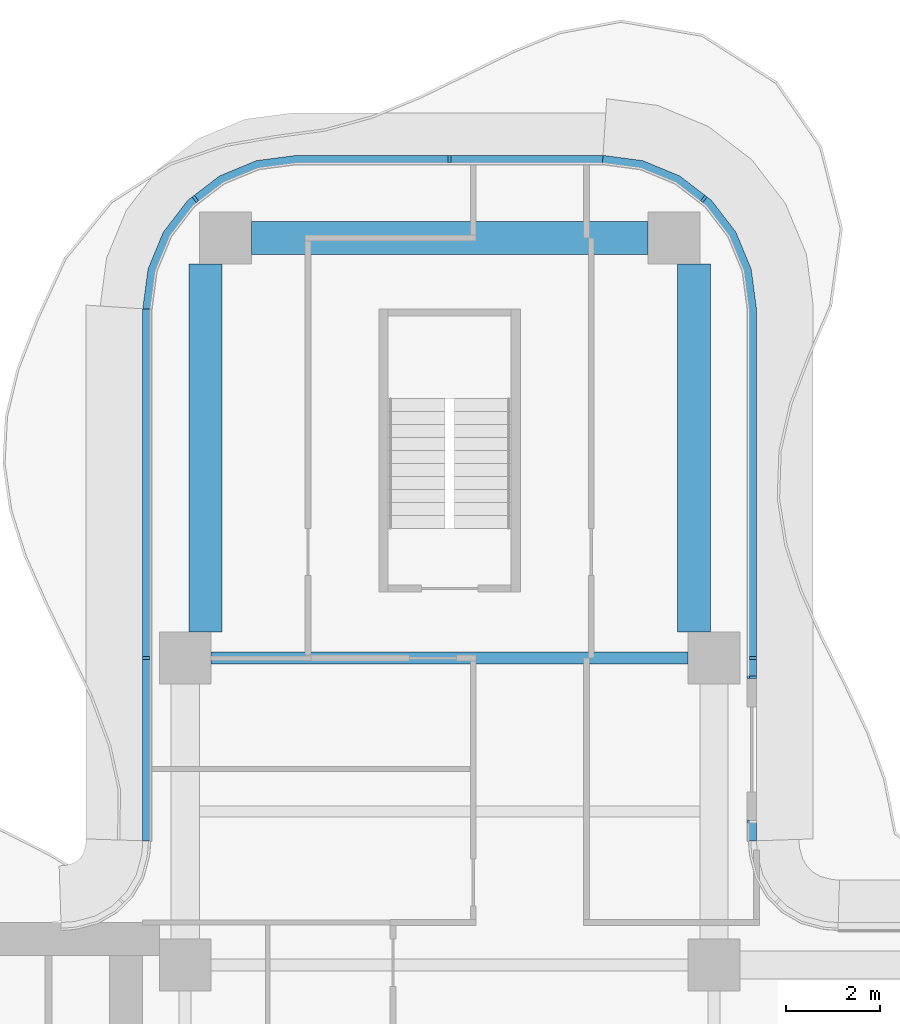
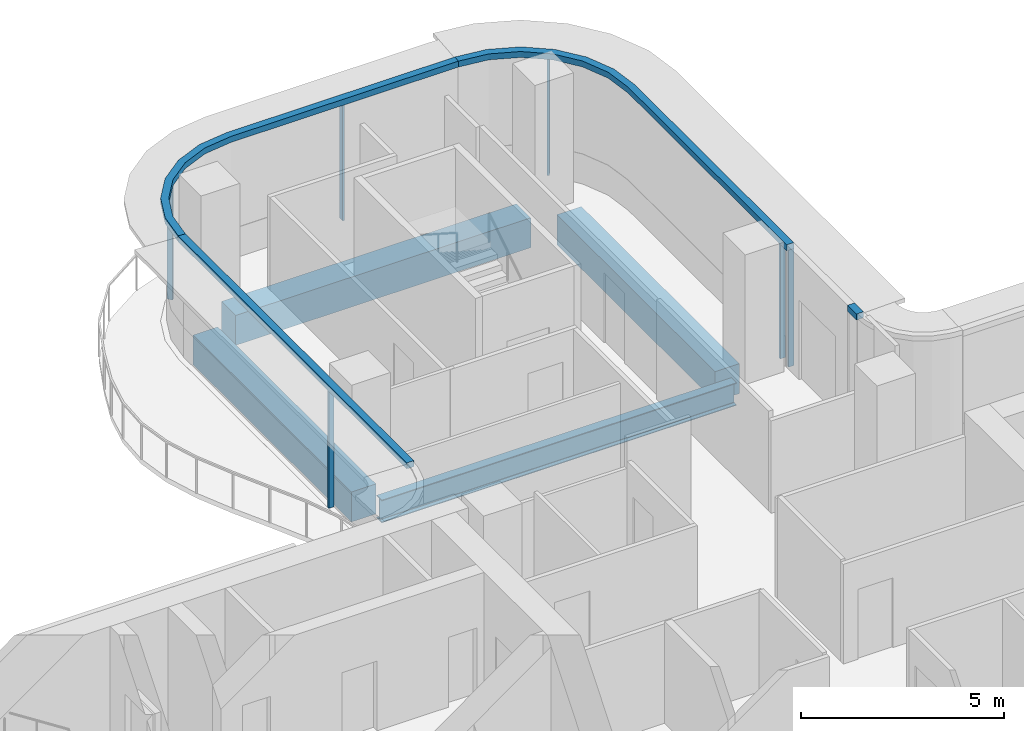
# One storey, part 7 of 16: 10 members, 4 beams, 4 elements without a shape of their own.
"""IFC4 building model written with IfcOpenShell, lengths in metres."""

from ifc_helpers import new_model, si_unit, direction, frame, origin, origin_2d, place, context, subcontext, project, spatial, polyline, rectangle, i_section, outline, extrude, source, transform, mapped, material, layer, layer_set, material_profile, profile_set, type_object, element, aggregate, save


model = new_model("IFC4")

# Units and contexts
model_context = context("Model", 3, precision=1e-05, world=origin(), true_north=direction((0.0, 1.0)))
body_context = subcontext(model_context, "Body", "Model", "MODEL_VIEW")
ifc_project = project(units=[si_unit("LENGTHUNIT", "METRE"), si_unit("AREAUNIT", "SQUARE_METRE"), si_unit("VOLUMEUNIT", "CUBIC_METRE"), si_unit("PLANEANGLEUNIT", "RADIAN"), si_unit("MASSUNIT", "GRAM", prefix="KILO")], contexts=[model_context])

# Site, building, storey
site_placement = place(None, origin())
site = spatial("IfcSite", under=ifc_project, at=site_placement, CompositionType="ELEMENT")
building_placement = place(site_placement, origin())
building = spatial("IfcBuilding", under=site, at=building_placement, Name="Trellis Farm Tower", CompositionType="ELEMENT")
storey_placement = place(building_placement, frame((0.0, 0.0, 263.60009765625)))
storey = spatial("IfcBuildingStorey", under=building, at=storey_placement, Name="L59", CompositionType="ELEMENT", Elevation=263.60009765625)

# Beams
ifc_material_1 = material(Name="Steel S355", Category="steel")
ifc_material_profile_1 = material_profile(ifc_material_1, i_section(OverallWidth=0.253662109375, OverallDepth=0.68359375, WebThickness=0.012451171875, FlangeThickness=0.021728515625, FilletRadius=0.01513671875, at=origin_2d()), Name="UB 686x254x140")
ifc_profile_set_1 = profile_set([ifc_material_profile_1], Name="Steel S355")
beam_type_1 = type_object("IfcBeamType", Name="UB 686x254x140", PredefinedType="BEAM", material=ifc_profile_set_1)
shared_shape_1 = source(origin(), body_context, "Body", "SweptSolid", [
    extrude(i_section(OverallWidth=0.253662109375, OverallDepth=0.68359375, WebThickness=0.012451171875, FlangeThickness=0.021728515625, FilletRadius=0.01513671875, at=origin_2d()), origin(), (0.0, 0.0, 1.0), 10.10009765625),
])
beam_1_placement = place(storey_placement, frame((-5.050048828125, 12.10009765625, -0.541748046875), z_axis=(1.0, 0.0, 0.0), x_axis=(0.0, 1.0, 0.0)))
element("IfcBeam", 1, at=beam_1_placement, inside=storey, type_object=beam_type_1, Name="Girder", PredefinedType="BEAM", context=body_context, shape_type="MappedRepresentation", body=[
    mapped(shared_shape_1, transform((0.0, 0.0, 0.0))),
])
ifc_material_2 = material(Name="Concrete C60/75", Category="concrete")
ifc_material_profile_2 = material_profile(ifc_material_2, rectangle(XDim=0.699951171875, YDim=0.89990234375, at=origin_2d()), Name="RC spandrel beam 700x900 C60/75")
ifc_profile_set_2 = profile_set([ifc_material_profile_2], Name="Concrete C60/75")
beam_type_2 = type_object("IfcBeamType", Name="RC spandrel beam 700x900 C60/75", PredefinedType="SPANDREL", material=ifc_profile_set_2)
shared_shape_2 = source(origin(), body_context, "Body", "SweptSolid", [
    extrude(rectangle(XDim=0.699951171875, YDim=0.89990234375, at=origin_2d()), origin(), (0.0, 0.0, 1.0), 8.39990234375),
])
beam_2_placement = place(storey_placement, frame((-4.199951171875, 21.0, -0.650146484375), z_axis=(1.0, 0.0, 0.0), x_axis=(0.0, 1.0, 0.0)))
element("IfcBeam", 2, at=beam_2_placement, inside=storey, type_object=beam_type_2, Name="Girder", PredefinedType="SPANDREL", context=body_context, shape_type="MappedRepresentation", body=[
    mapped(shared_shape_2, transform((0.0, 0.0, 0.0))),
])
shared_shape_3 = source(origin(), body_context, "Body", "SweptSolid", [
    extrude(rectangle(XDim=0.699951171875, YDim=0.89990234375, at=origin_2d()), origin(), (0.0, 0.0, 1.0), 7.800048828125),
])
for number, where, z_axis, x_axis, name in (
    (3, (-5.175048828125, 12.64990234375, -0.650146484375), (0.0, 1.0, 0.0), (-1.0, 0.0, 0.0), "Girder"),
    (4, (5.175048828125, 12.64990234375, -0.650146484375), (0.0, 1.0, 0.0), (-1.0, 0.0, 0.0), "Girder"),
):
    element("IfcBeam", number, at=place(storey_placement, frame(where, z_axis=z_axis, x_axis=x_axis)), inside=storey, type_object=beam_type_2, Name=name, PredefinedType="SPANDREL", context=body_context, shape_type="MappedRepresentation", body=[
        mapped(shared_shape_3, transform((0.0, 0.0, 0.0))),
    ])

# Curtain wall, members
ifc_material_3 = material(Name="Aluminium and glass curtain wall", Category="aluminium")
ifc_layer_1 = layer(ifc_material_3, 0.18994140625)
ifc_layer_set_1 = layer_set([ifc_layer_1], Name="RIBBON CURTAIN WALL CW1")
curtain_wall_type = type_object("IfcCurtainWallType", Name="RIBBON CURTAIN WALL CW1", PredefinedType="NOTDEFINED", material=ifc_layer_set_1)
placement_1 = place(storey_placement, origin())
curtain_wall_1 = element("IfcCurtainWall", 5, at=placement_1, inside=storey, type_object=curtain_wall_type, Name="CW1 009", PredefinedType="NOTDEFINED")
ifc_material_4 = material(Name="Aluminium extrusion 6063-T6", Category="aluminium")
ifc_material_profile_3 = material_profile(ifc_material_4, rectangle(XDim=0.06005859375, YDim=0.14990234375, at=origin_2d()), Name="MULLION 60x150")
ifc_profile_set_3 = profile_set([ifc_material_profile_3], Name="Aluminium extrusion 6063-T6")
member_type_1 = type_object("IfcMemberType", Name="CW1 MULLION 60x150", PredefinedType="MULLION", material=ifc_profile_set_3)
shared_shape_4 = source(origin(), body_context, "Body", "SweptSolid", [
    extrude(rectangle(XDim=0.06005859375, YDim=0.14990234375, at=origin_2d()), origin(), (0.0, 0.0, 1.0), 3.52001953125),
])
member_1_placement = place(storey_placement, frame((6.425048828125, 11.69580078125, 0.0), z_axis=(0.0, 0.0, 1.0), x_axis=(0.0, 1.0, 0.0)))
member_1 = element("IfcMember", 6, at=member_1_placement, type_object=member_type_1, Name="MU1 009-01", PredefinedType="MULLION", context=body_context, shape_type="MappedRepresentation", body=[
    mapped(shared_shape_4, transform((0.0, 0.0, 0.0))),
])
member_2_placement = place(storey_placement, frame((6.425048828125, 12.10009765625, 0.0), z_axis=(0.0, 0.0, 1.0), x_axis=(0.0, 1.0, 0.0)))
member_2 = element("IfcMember", 7, at=member_2_placement, type_object=member_type_1, Name="MU1 009-02", PredefinedType="MULLION", context=body_context, shape_type="MappedRepresentation", body=[
    mapped(shared_shape_4, transform((0.0, 0.0, 0.0))),
])
member_3_placement = place(storey_placement, frame((5.385498046875, 21.828369140625, 0.0), z_axis=(0.0, 0.0, 1.0), x_axis=(-0.793353340291, 0.608761429009, 0.0)))
member_3 = element("IfcMember", 8, at=member_3_placement, type_object=member_type_1, Name="MU1 009-03", PredefinedType="MULLION", context=body_context, shape_type="MappedRepresentation", body=[
    mapped(shared_shape_4, transform((0.0, 0.0, 0.0))),
])

curtain_wall_2 = element("IfcCurtainWall", 9, at=placement_1, inside=storey, type_object=curtain_wall_type, Name="CW1 010", PredefinedType="NOTDEFINED")
member_4_placement = place(storey_placement, frame((0.0, 22.675048828125, 0.0), z_axis=(0.0, 0.0, 1.0), x_axis=(-1.0, 0.0, 0.0)))
member_4 = element("IfcMember", 10, at=member_4_placement, type_object=member_type_1, Name="MU1 010-01", PredefinedType="MULLION", context=body_context, shape_type="MappedRepresentation", body=[
    mapped(shared_shape_4, transform((0.0, 0.0, 0.0))),
])
member_5_placement = place(storey_placement, frame((-5.385498046875, 21.828369140625, 0.0), z_axis=(0.0, 0.0, 1.0), x_axis=(-0.793353340291, -0.608761429009, 0.0)))
member_5 = element("IfcMember", 11, at=member_5_placement, type_object=member_type_1, Name="MU1 010-02", PredefinedType="MULLION", context=body_context, shape_type="MappedRepresentation", body=[
    mapped(shared_shape_4, transform((0.0, 0.0, 0.0))),
])

# Curtain wall, member
curtain_wall_3 = element("IfcCurtainWall", 12, at=placement_1, inside=storey, type_object=curtain_wall_type, Name="CW1 011", PredefinedType="NOTDEFINED")
member_6_placement = place(storey_placement, frame((-6.425048828125, 12.10009765625, 0.0), z_axis=(0.0, 0.0, 1.0), x_axis=(0.0, -1.0, 0.0)))
member_6 = element("IfcMember", 13, at=member_6_placement, type_object=member_type_1, Name="MU1 011-01", PredefinedType="MULLION", context=body_context, shape_type="MappedRepresentation", body=[
    mapped(shared_shape_4, transform((0.0, 0.0, 0.0))),
])

# Member
ifc_layer_2 = layer(ifc_material_4, 0.199951171875)
ifc_layer_set_2 = layer_set([ifc_layer_2], Name="Aluminium extrusion 6063-T6")
member_type_2 = type_object("IfcMemberType", Name="CW1 TRANSOM 200x180", PredefinedType="USERDEFINED", material=ifc_layer_set_2)
shared_shape_5 = source(origin(), body_context, "Body", "SweptSolid", [
    extrude(outline(polyline([(3.25, 22.75), (-3.25, 22.75), (-4.091064453125, 22.63916015625), (-4.875, 22.314697265625), (-5.548095703125, 21.798095703125), (-6.064697265625, 21.125), (-6.38916015625, 20.341064453125), (-6.5, 19.5), (-6.300048828125, 19.48681640625), (-6.1943359375, 20.2890625), (-5.889892578125, 21.024169921875), (-5.405517578125, 21.655517578125), (-4.774169921875, 22.139892578125), (-4.0390625, 22.4443359375), (-3.23681640625, 22.550048828125), (3.23681640625, 22.550048828125), (3.25, 22.75)])), origin(), (0.0, 0.0, 1.0), 0.179931640625),
])
placement_2 = place(storey_placement, frame((0.0, 0.0, 3.52001953125)))
member_7 = element("IfcMember", 14, at=placement_2, type_object=member_type_2, Name="TR1 010", ObjectType="TRANSOM", PredefinedType="USERDEFINED", context=body_context, shape_type="MappedRepresentation", body=[
    mapped(shared_shape_5, transform((0.0, 0.0, 0.0))),
])

aggregate(curtain_wall_2, [member_4, member_5, member_7])

shared_shape_6 = source(origin(), body_context, "Body", "SweptSolid", [
    extrude(outline(polyline([(-6.5, 19.5), (-6.5, 8.2314453125), (-6.300048828125, 8.224853515625), (-6.300048828125, 19.48681640625), (-6.5, 19.5)])), origin(), (0.0, 0.0, 1.0), 0.179931640625),
])
member_8 = element("IfcMember", 15, at=placement_2, type_object=member_type_2, Name="TR1 011", ObjectType="TRANSOM", PredefinedType="USERDEFINED", context=body_context, shape_type="MappedRepresentation", body=[
    mapped(shared_shape_6, transform((0.0, 0.0, 0.0))),
])

aggregate(curtain_wall_3, [member_6, member_8])

# Curtain wall, member
curtain_wall_4 = element("IfcCurtainWall", 16, at=placement_1, inside=storey, type_object=curtain_wall_type, Name="CW1 008", PredefinedType="NOTDEFINED")
shared_shape_7 = source(origin(), body_context, "Body", "SweptSolid", [
    extrude(outline(polyline([(6.5, 8.2314453125), (6.5, 8.665771484375), (6.300048828125, 8.665771484375), (6.300048828125, 8.224853515625), (6.5, 8.2314453125)])), origin(), (0.0, 0.0, 1.0), 0.179931640625),
])
member_9 = element("IfcMember", 17, at=placement_2, type_object=member_type_2, Name="TR1 008", ObjectType="TRANSOM", PredefinedType="USERDEFINED", context=body_context, shape_type="MappedRepresentation", body=[
    mapped(shared_shape_7, transform((0.0, 0.0, 0.0))),
])
aggregate(curtain_wall_4, [member_9])

# Member
shared_shape_8 = source(origin(), body_context, "Body", "SweptSolid", [
    extrude(outline(polyline([(6.5, 11.665771484375), (6.5, 19.5), (6.38916015625, 20.341064453125), (6.064697265625, 21.125), (5.548095703125, 21.798095703125), (4.875, 22.314697265625), (4.091064453125, 22.63916015625), (3.25, 22.75), (3.23681640625, 22.550048828125), (4.0390625, 22.4443359375), (4.774169921875, 22.139892578125), (5.405517578125, 21.655517578125), (5.889892578125, 21.024169921875), (6.1943359375, 20.2890625), (6.300048828125, 19.48681640625), (6.300048828125, 11.665771484375), (6.5, 11.665771484375)])), origin(), (0.0, 0.0, 1.0), 0.179931640625),
])
member_10 = element("IfcMember", 18, at=placement_2, type_object=member_type_2, Name="TR1 009", ObjectType="TRANSOM", PredefinedType="USERDEFINED", context=body_context, shape_type="MappedRepresentation", body=[
    mapped(shared_shape_8, transform((0.0, 0.0, 0.0))),
])

aggregate(curtain_wall_1, [member_1, member_2, member_3, member_10])

save(model, "model.ifc")
